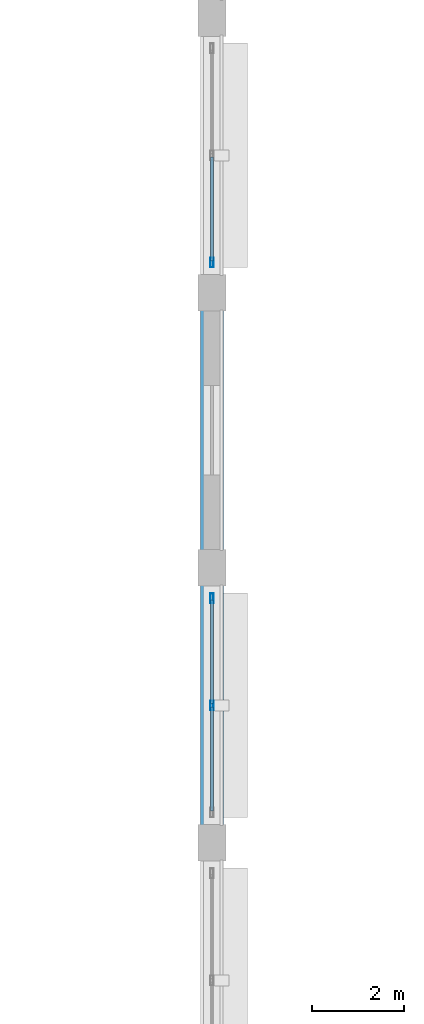
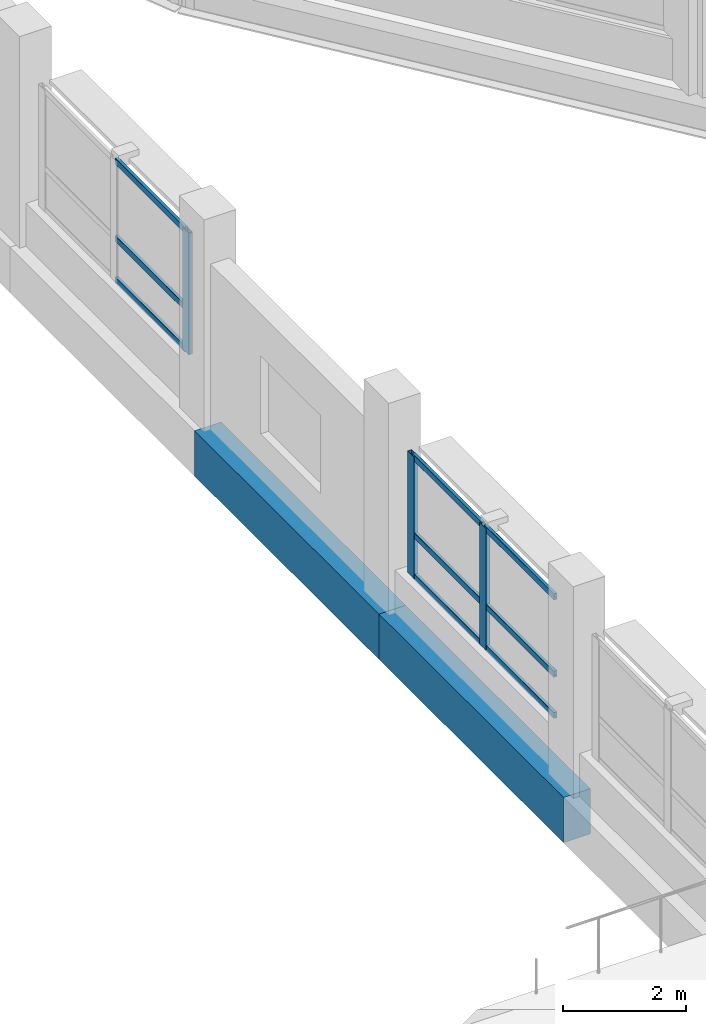
# One storey, part 20 of 128: 12 members, 2 beams, 2 elements without a shape of their own.
"""IFC4 building model written with IfcOpenShell, lengths in metres."""

from ifc_helpers import new_model, si_unit, direction, frame, origin, origin_2d, place, context, subcontext, project, spatial, rectangle, hollow_rectangle, extrude, material, layer, layer_set, material_profile, profile_set, type_object, element, aggregate, save


model = new_model("IFC4")

# Units and contexts
model_context = context("Model", 3, precision=1e-05, world=origin(), true_north=direction((0.0, 1.0)))
body_context = subcontext(model_context, "Body", "Model", "MODEL_VIEW")
ifc_project = project(units=[si_unit("LENGTHUNIT", "METRE"), si_unit("AREAUNIT", "SQUARE_METRE"), si_unit("VOLUMEUNIT", "CUBIC_METRE"), si_unit("PLANEANGLEUNIT", "RADIAN"), si_unit("MASSUNIT", "GRAM", prefix="KILO")], contexts=[model_context])

# Site, building, storey
site_placement = place(None, origin())
site = spatial("IfcSite", under=ifc_project, at=site_placement, CompositionType="ELEMENT")
building_placement = place(site_placement, origin())
building = spatial("IfcBuilding", under=site, at=building_placement, Name="Vespera Passage Community Centre", CompositionType="ELEMENT")
storey_placement = place(building_placement, frame((0.0, 0.0, 4.5)))
storey = spatial("IfcBuildingStorey", under=building, at=storey_placement, Name="L01", CompositionType="ELEMENT", Elevation=4.5)

# Beams
ifc_material_1 = material(Name="Concrete f'c 45 MPa", Category="concrete")
ifc_material_profile_1 = material_profile(ifc_material_1, rectangle(XDim=0.5, YDim=0.89990234375, at=origin_2d()), Name="RC500X900")
ifc_profile_set_1 = profile_set([ifc_material_profile_1], Name="Concrete f'c 45 MPa")
beam_type = type_object("IfcBeamType", Name="BM-SP-500X900E", PredefinedType="SPANDREL", material=ifc_profile_set_1)
for number, where, z_axis, x_axis, name in (
    (1, (31.949951171875, 19.0, -0.68994140625), (0.0, 1.0, 0.0), (-1.0, 0.0, 0.0), "V1 L01 Spandrel E3"),
    (2, (31.949951171875, 25.0, -0.68994140625), (0.0, 1.0, 0.0), (-1.0, 0.0, 0.0), "V1 L01 Spandrel E4"),
):
    element("IfcBeam", number, at=place(storey_placement, frame(where, z_axis=z_axis, x_axis=x_axis)), inside=storey, type_object=beam_type, Name=name, PredefinedType="SPANDREL", context=body_context, shape_type="SweptSolid", body=[
        extrude(rectangle(XDim=0.5, YDim=0.89990234375, at=origin_2d()), origin(), (0.0, 0.0, 1.0), 6.0),
    ])

# Curtain wall, members
ifc_material_2 = material(Name="Anodized aluminium 6063-T6", Category="aluminium")
ifc_layer = layer(ifc_material_2, 0.159912109375)
ifc_layer_set = layer_set([ifc_layer], Name="Anodized aluminium 6063-T6")
curtain_wall_type = type_object("IfcCurtainWallType", Name="CW-84E", PredefinedType="NOTDEFINED", material=ifc_layer_set)
curtain_wall_1_placement = place(storey_placement, origin())
curtain_wall_1 = element("IfcCurtainWall", 3, at=curtain_wall_1_placement, inside=storey, type_object=curtain_wall_type, Name="Main Hall Acoustic Curtain Wall L01 E3", PredefinedType="NOTDEFINED")
ifc_material_3 = material(Name="Anodized aluminium 6063-T6", Category="aluminium")
ifc_material_profile_2 = material_profile(ifc_material_3, hollow_rectangle(XDim=0.074951171875, YDim=0.2099609375, WallThickness=0.0048828125, InnerFilletRadius=0.00244140625, OuterFilletRadius=0.0048828125, at=origin_2d()), Name="ALU210X75X5")
ifc_profile_set_2 = profile_set([ifc_material_profile_2], Name="Anodized aluminium 6063-T6")
member_type_1 = type_object("IfcMemberType", Name="MB-CWM-210E", PredefinedType="MULLION", material=ifc_profile_set_2)
member_1_placement = place(storey_placement, frame((31.949951171875, 24.33740234375, 0.85009765625), z_axis=(0.0, 0.0, 1.0), x_axis=(1.0, 0.0, 0.0)))
member_1 = element("IfcMember", 4, at=member_1_placement, type_object=member_type_1, Name="CW-84E mullion 1", PredefinedType="MULLION", context=body_context, shape_type="SweptSolid", body=[
    extrude(hollow_rectangle(XDim=0.074951171875, YDim=0.2099609375, WallThickness=0.0048828125, InnerFilletRadius=0.00244140625, OuterFilletRadius=0.0048828125, at=origin_2d()), origin(), (0.0, 0.0, 1.0), 2.414794921875),
])
member_2_placement = place(storey_placement, frame((31.949951171875, 22.0, 0.85009765625), z_axis=(0.0, 0.0, 1.0), x_axis=(1.0, 0.0, 0.0)))
member_2 = element("IfcMember", 5, at=member_2_placement, type_object=member_type_1, Name="CW-84E mullion 2", PredefinedType="MULLION", context=body_context, shape_type="SweptSolid", body=[
    extrude(hollow_rectangle(XDim=0.074951171875, YDim=0.2099609375, WallThickness=0.0048828125, InnerFilletRadius=0.00244140625, OuterFilletRadius=0.0048828125, at=origin_2d()), origin(), (0.0, 0.0, 1.0), 2.414794921875),
])

# Curtain wall, member
curtain_wall_2_placement = place(storey_placement, origin())
curtain_wall_2 = element("IfcCurtainWall", 6, at=curtain_wall_2_placement, inside=storey, type_object=curtain_wall_type, Name="Main Hall Acoustic Curtain Wall L01 E5", PredefinedType="NOTDEFINED")
member_3_placement = place(storey_placement, frame((31.949951171875, 31.66259765625, 0.85009765625), z_axis=(0.0, 0.0, 1.0), x_axis=(1.0, 0.0, 0.0)))
member_3 = element("IfcMember", 7, at=member_3_placement, type_object=member_type_1, Name="CW-84E mullion 3", PredefinedType="MULLION", context=body_context, shape_type="SweptSolid", body=[
    extrude(hollow_rectangle(XDim=0.074951171875, YDim=0.2099609375, WallThickness=0.0048828125, InnerFilletRadius=0.00244140625, OuterFilletRadius=0.0048828125, at=origin_2d()), origin(), (0.0, 0.0, 1.0), 2.414794921875),
])

# Member
ifc_material_4 = material(Name="Anodized aluminium 6063-T6", Category="aluminium")
ifc_material_profile_3 = material_profile(ifc_material_4, hollow_rectangle(XDim=0.06005859375, YDim=0.1201171875, WallThickness=0.00390625, InnerFilletRadius=0.001953125, OuterFilletRadius=0.00390625, at=origin_2d()), Name="ALU120X60X4")
ifc_profile_set_3 = profile_set([ifc_material_profile_3], Name="Anodized aluminium 6063-T6")
member_type_2 = type_object("IfcMemberType", Name="MB-CWT-120E", PredefinedType="USERDEFINED", material=ifc_profile_set_3)
member_4_placement = place(storey_placement, frame((31.949951171875, 24.300048828125, 0.8798828125), z_axis=(0.0, -1.0, 0.0), x_axis=(1.0, 0.0, 0.0)))
member_4 = element("IfcMember", 8, at=member_4_placement, type_object=member_type_2, Name="CW-84E transom 1.1", ObjectType="TRANSOM", PredefinedType="USERDEFINED", context=body_context, shape_type="SweptSolid", body=[
    extrude(hollow_rectangle(XDim=0.06005859375, YDim=0.1201171875, WallThickness=0.00390625, InnerFilletRadius=0.001953125, OuterFilletRadius=0.00390625, at=origin_2d()), origin(), (0.0, 0.0, 1.0), 2.262451171875),
])

member_5_placement = place(storey_placement, frame((31.949951171875, 24.300048828125, 1.699951171875), z_axis=(0.0, -1.0, 0.0), x_axis=(1.0, 0.0, 0.0)))
member_5 = element("IfcMember", 9, at=member_5_placement, type_object=member_type_2, Name="CW-84E transom 1.2", ObjectType="TRANSOM", PredefinedType="USERDEFINED", context=body_context, shape_type="SweptSolid", body=[
    extrude(hollow_rectangle(XDim=0.06005859375, YDim=0.1201171875, WallThickness=0.00390625, InnerFilletRadius=0.001953125, OuterFilletRadius=0.00390625, at=origin_2d()), origin(), (0.0, 0.0, 1.0), 2.262451171875),
])

member_6_placement = place(storey_placement, frame((31.949951171875, 24.300048828125, 3.235107421875), z_axis=(0.0, -1.0, 0.0), x_axis=(1.0, 0.0, 0.0)))
member_6 = element("IfcMember", 10, at=member_6_placement, type_object=member_type_2, Name="CW-84E transom 1.3", ObjectType="TRANSOM", PredefinedType="USERDEFINED", context=body_context, shape_type="SweptSolid", body=[
    extrude(hollow_rectangle(XDim=0.06005859375, YDim=0.1201171875, WallThickness=0.00390625, InnerFilletRadius=0.001953125, OuterFilletRadius=0.00390625, at=origin_2d()), origin(), (0.0, 0.0, 1.0), 2.262451171875),
])

member_7_placement = place(storey_placement, frame((31.949951171875, 21.96240234375, 0.8798828125), z_axis=(0.0, -1.0, 0.0), x_axis=(1.0, 0.0, 0.0)))
member_7 = element("IfcMember", 11, at=member_7_placement, type_object=member_type_2, Name="CW-84E transom 2.1", ObjectType="TRANSOM", PredefinedType="USERDEFINED", context=body_context, shape_type="SweptSolid", body=[
    extrude(hollow_rectangle(XDim=0.06005859375, YDim=0.1201171875, WallThickness=0.00390625, InnerFilletRadius=0.001953125, OuterFilletRadius=0.00390625, at=origin_2d()), origin(), (0.0, 0.0, 1.0), 2.262451171875),
])

member_8_placement = place(storey_placement, frame((31.949951171875, 21.96240234375, 1.699951171875), z_axis=(0.0, -1.0, 0.0), x_axis=(1.0, 0.0, 0.0)))
member_8 = element("IfcMember", 12, at=member_8_placement, type_object=member_type_2, Name="CW-84E transom 2.2", ObjectType="TRANSOM", PredefinedType="USERDEFINED", context=body_context, shape_type="SweptSolid", body=[
    extrude(hollow_rectangle(XDim=0.06005859375, YDim=0.1201171875, WallThickness=0.00390625, InnerFilletRadius=0.001953125, OuterFilletRadius=0.00390625, at=origin_2d()), origin(), (0.0, 0.0, 1.0), 2.262451171875),
])

member_9_placement = place(storey_placement, frame((31.949951171875, 21.96240234375, 3.235107421875), z_axis=(0.0, -1.0, 0.0), x_axis=(1.0, 0.0, 0.0)))
member_9 = element("IfcMember", 13, at=member_9_placement, type_object=member_type_2, Name="CW-84E transom 2.3", ObjectType="TRANSOM", PredefinedType="USERDEFINED", context=body_context, shape_type="SweptSolid", body=[
    extrude(hollow_rectangle(XDim=0.06005859375, YDim=0.1201171875, WallThickness=0.00390625, InnerFilletRadius=0.001953125, OuterFilletRadius=0.00390625, at=origin_2d()), origin(), (0.0, 0.0, 1.0), 2.262451171875),
])

aggregate(curtain_wall_1, [member_1, member_2, member_4, member_5, member_6, member_7, member_8, member_9])

member_10_placement = place(storey_placement, frame((31.949951171875, 33.96240234375, 0.8798828125), z_axis=(0.0, -1.0, 0.0), x_axis=(1.0, 0.0, 0.0)))
member_10 = element("IfcMember", 14, at=member_10_placement, type_object=member_type_2, Name="CW-84E transom 2.1", ObjectType="TRANSOM", PredefinedType="USERDEFINED", context=body_context, shape_type="SweptSolid", body=[
    extrude(hollow_rectangle(XDim=0.06005859375, YDim=0.1201171875, WallThickness=0.00390625, InnerFilletRadius=0.001953125, OuterFilletRadius=0.00390625, at=origin_2d()), origin(), (0.0, 0.0, 1.0), 2.262451171875),
])

member_11_placement = place(storey_placement, frame((31.949951171875, 33.96240234375, 1.699951171875), z_axis=(0.0, -1.0, 0.0), x_axis=(1.0, 0.0, 0.0)))
member_11 = element("IfcMember", 15, at=member_11_placement, type_object=member_type_2, Name="CW-84E transom 2.2", ObjectType="TRANSOM", PredefinedType="USERDEFINED", context=body_context, shape_type="SweptSolid", body=[
    extrude(hollow_rectangle(XDim=0.06005859375, YDim=0.1201171875, WallThickness=0.00390625, InnerFilletRadius=0.001953125, OuterFilletRadius=0.00390625, at=origin_2d()), origin(), (0.0, 0.0, 1.0), 2.262451171875),
])

member_12_placement = place(storey_placement, frame((31.949951171875, 33.96240234375, 3.235107421875), z_axis=(0.0, -1.0, 0.0), x_axis=(1.0, 0.0, 0.0)))
member_12 = element("IfcMember", 16, at=member_12_placement, type_object=member_type_2, Name="CW-84E transom 2.3", ObjectType="TRANSOM", PredefinedType="USERDEFINED", context=body_context, shape_type="SweptSolid", body=[
    extrude(hollow_rectangle(XDim=0.06005859375, YDim=0.1201171875, WallThickness=0.00390625, InnerFilletRadius=0.001953125, OuterFilletRadius=0.00390625, at=origin_2d()), origin(), (0.0, 0.0, 1.0), 2.262451171875),
])

aggregate(curtain_wall_2, [member_3, member_10, member_11, member_12])

save(model, "model.ifc")
